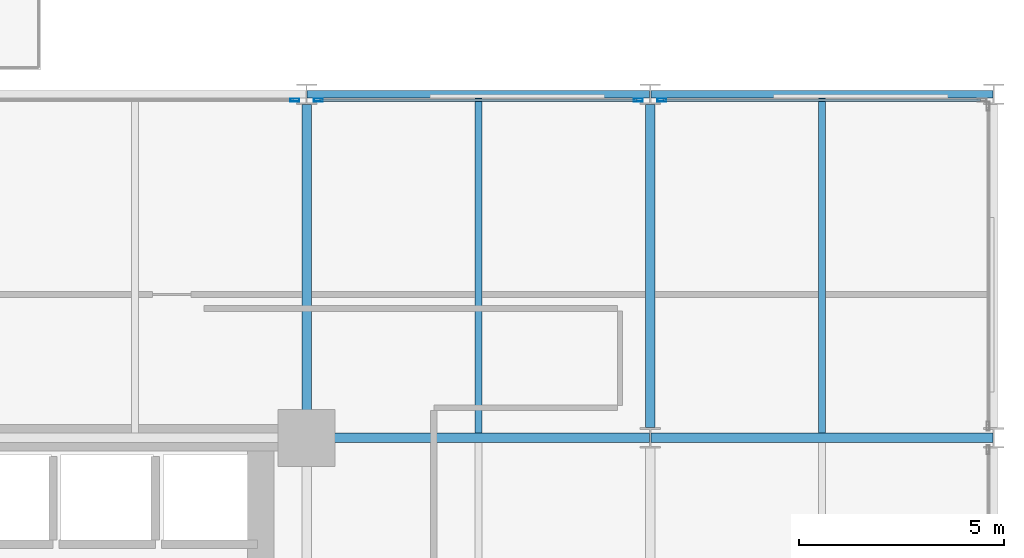
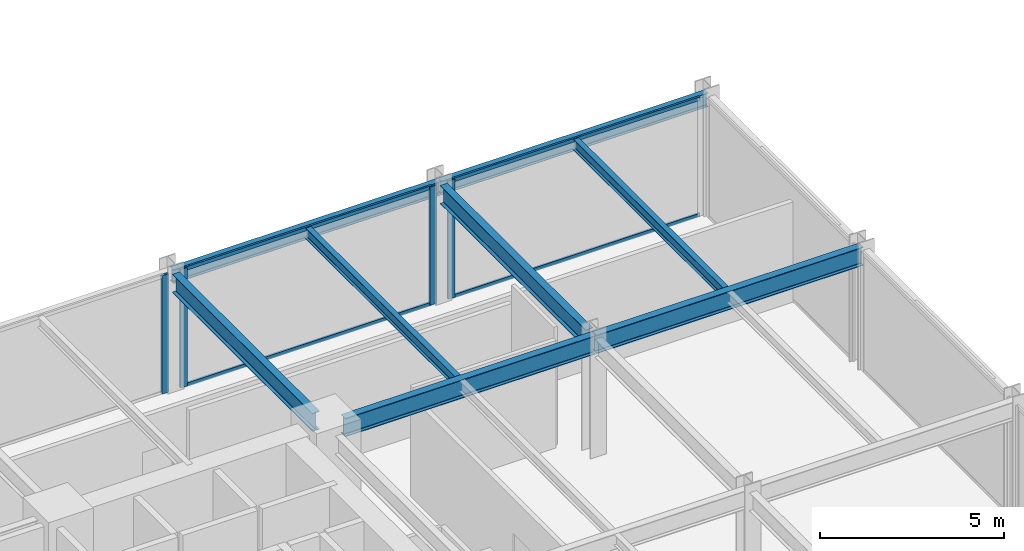
# One storey, part 12 of 24: 8 beams, 8 members, 3 elements without a shape of their own.
"""IFC4 building model written with IfcOpenShell, lengths in metres."""

from ifc_helpers import new_model, si_unit, direction, frame, origin, origin_2d, place, context, subcontext, project, spatial, hollow_rectangle, i_section, extrude, material, layer, layer_set, material_profile, profile_set, type_object, element, aggregate, save


model = new_model("IFC4")

# Units and contexts
model_context = context("Model", 3, precision=1e-05, world=origin(), true_north=direction((0.0, 1.0)))
body_context = subcontext(model_context, "Body", "Model", "MODEL_VIEW")
ifc_project = project(units=[si_unit("LENGTHUNIT", "METRE"), si_unit("AREAUNIT", "SQUARE_METRE"), si_unit("VOLUMEUNIT", "CUBIC_METRE"), si_unit("PLANEANGLEUNIT", "RADIAN"), si_unit("MASSUNIT", "GRAM", prefix="KILO")], contexts=[model_context])

# Site, building, storey
site_placement = place(None, origin())
site = spatial("IfcSite", under=ifc_project, at=site_placement, CompositionType="ELEMENT")
building_placement = place(site_placement, origin())
building = spatial("IfcBuilding", under=site, at=building_placement, Name="Nerrivon Quay Data Exchange", CompositionType="ELEMENT")
storey_placement = place(building_placement, frame((0.0, 0.0, 50.0)))
storey = spatial("IfcBuildingStorey", under=building, at=storey_placement, Name="L11", CompositionType="ELEMENT", Elevation=50.0)

# Beams
ifc_material_1 = material(Name="Steel Grade 350", Category="steel")
ifc_material_profile_1 = material_profile(ifc_material_1, i_section(OverallWidth=0.22900390625, OverallDepth=0.612060546875, WebThickness=0.011962890625, FlangeThickness=0.01953125, FilletRadius=0.013916015625, at=origin_2d()), Name="610UB125")
ifc_profile_set_1 = profile_set([ifc_material_profile_1], Name="Steel Grade 350")
beam_type_1 = type_object("IfcBeamType", Name="BM-G1-610UB125", PredefinedType="BEAM", material=ifc_profile_set_1)
beam_1_placement = place(storey_placement, frame((34.139892578125, 16.800048828125, 3.618896484375), z_axis=(1.0, 0.0, 0.0), x_axis=(0.0, 1.0, 0.0)))
element("IfcBeam", 1, at=beam_1_placement, inside=storey, type_object=beam_type_1, Name="L11 EW Girder Y=16.8 (33.6..42.0)", PredefinedType="BEAM", context=body_context, shape_type="SweptSolid", body=[
    extrude(i_section(OverallWidth=0.22900390625, OverallDepth=0.612060546875, WebThickness=0.011962890625, FlangeThickness=0.01953125, FilletRadius=0.013916015625, at=origin_2d()), origin(), (0.0, 0.0, 1.0), 7.84619140625),
])
beam_2_placement = place(storey_placement, frame((42.013916015625, 16.800048828125, 3.618896484375), z_axis=(1.0, 0.0, 0.0), x_axis=(0.0, 1.0, 0.0)))
element("IfcBeam", 2, at=beam_2_placement, inside=storey, type_object=beam_type_1, Name="L11 EW Girder Y=16.8 (42.0..50.4)", PredefinedType="BEAM", context=body_context, shape_type="SweptSolid", body=[
    extrude(i_section(OverallWidth=0.22900390625, OverallDepth=0.612060546875, WebThickness=0.011962890625, FlangeThickness=0.01953125, FilletRadius=0.013916015625, at=origin_2d()), origin(), (0.0, 0.0, 1.0), 8.3720703125),
])
ifc_material_profile_2 = material_profile(ifc_material_1, i_section(OverallWidth=0.22802734375, OverallDepth=0.60205078125, WebThickness=0.010498046875, FlangeThickness=0.014892578125, FilletRadius=0.013916015625, at=origin_2d()), Name="610UB101")
ifc_profile_set_2 = profile_set([ifc_material_profile_2], Name="Steel Grade 350")
beam_type_2 = type_object("IfcBeamType", Name="BM-G2-610UB101", PredefinedType="BEAM", material=ifc_profile_set_2)
beam_3_placement = place(storey_placement, frame((33.60009765625, 17.340087890625, 3.6240234375), z_axis=(0.0, 1.0, 0.0), x_axis=(-1.0, 0.0, 0.0)))
element("IfcBeam", 3, at=beam_3_placement, inside=storey, type_object=beam_type_2, Name="L11 NS Girder X=33.6 (16.8..25.2)", PredefinedType="BEAM", context=body_context, shape_type="SweptSolid", body=[
    extrude(i_section(OverallWidth=0.22802734375, OverallDepth=0.60205078125, WebThickness=0.010498046875, FlangeThickness=0.014892578125, FilletRadius=0.013916015625, at=origin_2d()), origin(), (0.0, 0.0, 1.0), 7.60986328125),
])
beam_4_placement = place(storey_placement, frame((42.0, 17.050048828125, 3.6240234375), z_axis=(0.0, 1.0, 0.0), x_axis=(-1.0, 0.0, 0.0)))
element("IfcBeam", 4, at=beam_4_placement, inside=storey, type_object=beam_type_2, Name="L11 NS Girder X=42.0 (16.8..25.2)", PredefinedType="BEAM", context=body_context, shape_type="SweptSolid", body=[
    extrude(i_section(OverallWidth=0.22802734375, OverallDepth=0.60205078125, WebThickness=0.010498046875, FlangeThickness=0.014892578125, FilletRadius=0.013916015625, at=origin_2d()), origin(), (0.0, 0.0, 1.0), 7.89990234375),
])
ifc_material_profile_3 = material_profile(ifc_material_1, i_section(OverallWidth=0.172119140625, OverallDepth=0.35888671875, WebThickness=0.008056640625, FlangeThickness=0.012939453125, FilletRadius=0.011474609375, at=origin_2d()), Name="360UB56.7")
ifc_profile_set_3 = profile_set([ifc_material_profile_3], Name="Steel Grade 350")
beam_type_3 = type_object("IfcBeamType", Name="BM-J3-360UB57", PredefinedType="JOIST", material=ifc_profile_set_3)
for number, where, z_axis, x_axis, name in (
    (5, (37.800048828125, 16.91455078125, 3.74560546875), (0.0, 1.0, 0.0), (-1.0, 0.0, 0.0), "L11 Secondary Joist X=37.8 (16.8..25.2)"),
    (6, (46.199951171875, 16.91455078125, 3.74560546875), (0.0, 1.0, 0.0), (-1.0, 0.0, 0.0), "L11 Secondary Joist X=46.2 (16.8..25.2)"),
):
    element("IfcBeam", number, at=place(storey_placement, frame(where, z_axis=z_axis, x_axis=x_axis)), inside=storey, type_object=beam_type_3, Name=name, PredefinedType="JOIST", context=body_context, shape_type="SweptSolid", body=[
        extrude(i_section(OverallWidth=0.172119140625, OverallDepth=0.35888671875, WebThickness=0.008056640625, FlangeThickness=0.012939453125, FilletRadius=0.011474609375, at=origin_2d()), origin(), (0.0, 0.0, 1.0), 8.1904296875),
    ])
ifc_material_profile_4 = material_profile(ifc_material_1, i_section(OverallWidth=0.18994140625, OverallDepth=0.4541015625, WebThickness=0.008544921875, FlangeThickness=0.0126953125, FilletRadius=0.011474609375, at=origin_2d()), Name="460UB67.1")
ifc_profile_set_4 = profile_set([ifc_material_profile_4], Name="Steel Grade 350")
beam_type_4 = type_object("IfcBeamType", Name="BM-SP1-460UB67", PredefinedType="SPANDREL", material=ifc_profile_set_4)
for number, where, z_axis, x_axis, name in (
    (7, (33.614013671875, 25.199951171875, 3.697998046875), (1.0, 0.0, 0.0), (0.0, 1.0, 0.0), "L11 EW Girder Y=25.2 (33.6..42.0)"),
    (8, (42.013916015625, 25.199951171875, 3.697998046875), (1.0, 0.0, 0.0), (0.0, 1.0, 0.0), "L11 EW Girder Y=25.2 (42.0..50.4)"),
):
    element("IfcBeam", number, at=place(storey_placement, frame(where, z_axis=z_axis, x_axis=x_axis)), inside=storey, type_object=beam_type_4, Name=name, PredefinedType="SPANDREL", context=body_context, shape_type="SweptSolid", body=[
        extrude(i_section(OverallWidth=0.18994140625, OverallDepth=0.4541015625, WebThickness=0.008544921875, FlangeThickness=0.0126953125, FilletRadius=0.011474609375, at=origin_2d()), origin(), (0.0, 0.0, 1.0), 8.3720703125),
    ])

# Curtain wall, member
ifc_material_2 = material(Name="Anodised aluminium 6063-T6", Category="aluminium")
ifc_layer = layer(ifc_material_2, 0.219970703125)
ifc_layer_set = layer_set([ifc_layer], Name="Anodised aluminium 6063-T6")
curtain_wall_type = type_object("IfcCurtainWallType", Name="CW-SYS-01", PredefinedType="NOTDEFINED", material=ifc_layer_set)
curtain_wall_1_placement = place(storey_placement, origin())
curtain_wall_1 = element("IfcCurtainWall", 9, at=curtain_wall_1_placement, inside=storey, type_object=curtain_wall_type, Name="L11 Unitised Curtain Wall 28", PredefinedType="NOTDEFINED")
ifc_material_profile_5 = material_profile(ifc_material_2, hollow_rectangle(XDim=0.074951171875, YDim=0.219970703125, WallThickness=0.00390625, at=origin_2d()), Name="ALU-MULL-220x75")
ifc_profile_set_5 = profile_set([ifc_material_profile_5], Name="Anodised aluminium 6063-T6")
member_type_1 = type_object("IfcMemberType", Name="CWM-220x75", PredefinedType="MULLION", material=ifc_profile_set_5)
member_1_placement = place(storey_placement, frame((33.3125, 25.06005859375, 0.0), z_axis=(0.0, 0.0, 1.0), x_axis=(0.0, 1.0, 0.0)))
member_1 = element("IfcMember", 10, at=member_1_placement, type_object=member_type_1, Name="CW01 mullion 2", PredefinedType="MULLION", context=body_context, shape_type="SweptSolid", body=[
    extrude(hollow_rectangle(XDim=0.074951171875, YDim=0.219970703125, WallThickness=0.00390625, at=origin_2d()), origin(), (0.0, 0.0, 1.0), 3.925048828125),
])
aggregate(curtain_wall_1, [member_1])

# Curtain wall, members
curtain_wall_2_placement = place(storey_placement, origin())
curtain_wall_2 = element("IfcCurtainWall", 11, at=curtain_wall_2_placement, inside=storey, type_object=curtain_wall_type, Name="L11 Unitised Curtain Wall 29", PredefinedType="NOTDEFINED")
member_2_placement = place(storey_placement, frame((33.887451171875, 25.06005859375, 0.0), z_axis=(0.0, 0.0, 1.0), x_axis=(0.0, 1.0, 0.0)))
member_2 = element("IfcMember", 12, at=member_2_placement, type_object=member_type_1, Name="CW01 mullion 1", PredefinedType="MULLION", context=body_context, shape_type="SweptSolid", body=[
    extrude(hollow_rectangle(XDim=0.074951171875, YDim=0.219970703125, WallThickness=0.00390625, at=origin_2d()), origin(), (0.0, 0.0, 1.0), 3.925048828125),
])
member_3_placement = place(storey_placement, frame((41.71240234375, 25.06005859375, 0.0), z_axis=(0.0, 0.0, 1.0), x_axis=(0.0, 1.0, 0.0)))
member_3 = element("IfcMember", 13, at=member_3_placement, type_object=member_type_1, Name="CW01 mullion 2", PredefinedType="MULLION", context=body_context, shape_type="SweptSolid", body=[
    extrude(hollow_rectangle(XDim=0.074951171875, YDim=0.219970703125, WallThickness=0.00390625, at=origin_2d()), origin(), (0.0, 0.0, 1.0), 3.925048828125),
])

# Curtain wall, member
curtain_wall_3_placement = place(storey_placement, origin())
curtain_wall_3 = element("IfcCurtainWall", 14, at=curtain_wall_3_placement, inside=storey, type_object=curtain_wall_type, Name="L11 Unitised Curtain Wall 30", PredefinedType="NOTDEFINED")
member_4_placement = place(storey_placement, frame((42.28759765625, 25.06005859375, 0.0), z_axis=(0.0, 0.0, 1.0), x_axis=(0.0, 1.0, 0.0)))
member_4 = element("IfcMember", 15, at=member_4_placement, type_object=member_type_1, Name="CW01 mullion 1", PredefinedType="MULLION", context=body_context, shape_type="SweptSolid", body=[
    extrude(hollow_rectangle(XDim=0.074951171875, YDim=0.219970703125, WallThickness=0.00390625, at=origin_2d()), origin(), (0.0, 0.0, 1.0), 3.925048828125),
])

# Member
ifc_material_profile_6 = material_profile(ifc_material_2, hollow_rectangle(XDim=0.06005859375, YDim=0.1201171875, WallThickness=0.003173828125, at=origin_2d()), Name="ALU-TRAN-120x60")
ifc_profile_set_6 = profile_set([ifc_material_profile_6], Name="Anodised aluminium 6063-T6")
member_type_2 = type_object("IfcMemberType", Name="CWT-120x60", PredefinedType="USERDEFINED", material=ifc_profile_set_6)
member_5_placement = place(storey_placement, frame((33.925048828125, 25.06005859375, 0.032470703125), z_axis=(1.0, 0.0, 0.0), x_axis=(0.0, 1.0, 0.0)))
member_5 = element("IfcMember", 16, at=member_5_placement, type_object=member_type_2, Name="CW01 transom 1.1", ObjectType="TRANSOM", PredefinedType="USERDEFINED", context=body_context, shape_type="SweptSolid", body=[
    extrude(hollow_rectangle(XDim=0.06005859375, YDim=0.1201171875, WallThickness=0.003173828125, at=origin_2d()), origin(), (0.0, 0.0, 1.0), 7.75),
])

member_6_placement = place(storey_placement, frame((33.925048828125, 25.06005859375, 3.892578125), z_axis=(1.0, 0.0, 0.0), x_axis=(0.0, 1.0, 0.0)))
member_6 = element("IfcMember", 17, at=member_6_placement, type_object=member_type_2, Name="CW01 transom 1.2", ObjectType="TRANSOM", PredefinedType="USERDEFINED", context=body_context, shape_type="SweptSolid", body=[
    extrude(hollow_rectangle(XDim=0.06005859375, YDim=0.1201171875, WallThickness=0.003173828125, at=origin_2d()), origin(), (0.0, 0.0, 1.0), 7.75),
])

aggregate(curtain_wall_2, [member_2, member_3, member_5, member_6])

member_7_placement = place(storey_placement, frame((42.324951171875, 25.06005859375, 0.032470703125), z_axis=(1.0, 0.0, 0.0), x_axis=(0.0, 1.0, 0.0)))
member_7 = element("IfcMember", 18, at=member_7_placement, type_object=member_type_2, Name="CW01 transom 1.1", ObjectType="TRANSOM", PredefinedType="USERDEFINED", context=body_context, shape_type="SweptSolid", body=[
    extrude(hollow_rectangle(XDim=0.06005859375, YDim=0.1201171875, WallThickness=0.003173828125, at=origin_2d()), origin(), (0.0, 0.0, 1.0), 7.75),
])

member_8_placement = place(storey_placement, frame((42.324951171875, 25.06005859375, 3.892578125), z_axis=(1.0, 0.0, 0.0), x_axis=(0.0, 1.0, 0.0)))
member_8 = element("IfcMember", 19, at=member_8_placement, type_object=member_type_2, Name="CW01 transom 1.2", ObjectType="TRANSOM", PredefinedType="USERDEFINED", context=body_context, shape_type="SweptSolid", body=[
    extrude(hollow_rectangle(XDim=0.06005859375, YDim=0.1201171875, WallThickness=0.003173828125, at=origin_2d()), origin(), (0.0, 0.0, 1.0), 7.75),
])

aggregate(curtain_wall_3, [member_4, member_7, member_8])

save(model, "model.ifc")
